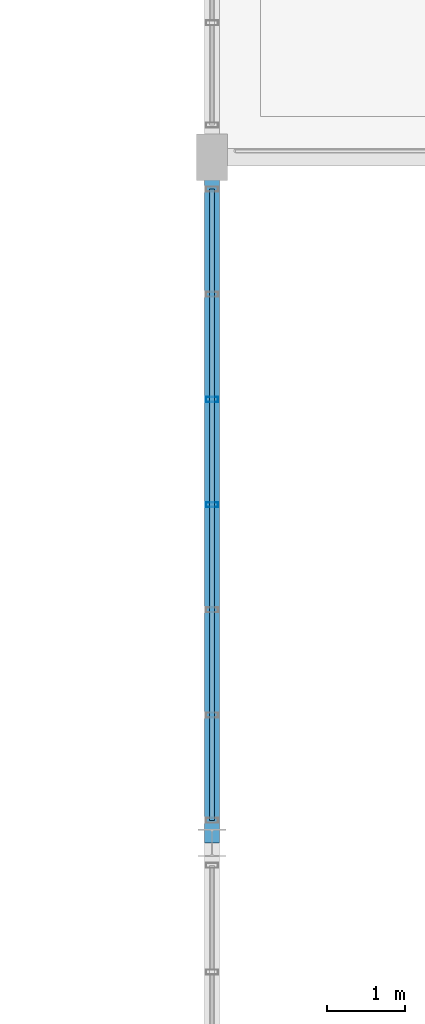
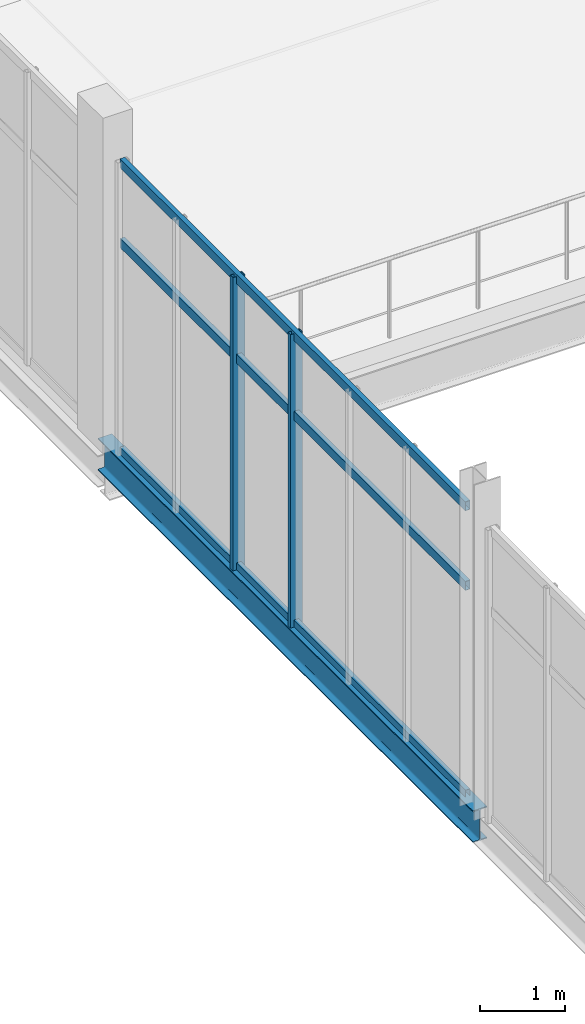
# One storey, part 43 of 157: 5 members, 1 beam, 1 element without a shape of its own.
"""IFC4 building model written with IfcOpenShell, lengths in metres."""

from ifc_helpers import new_model, si_unit, direction, frame, origin, origin_2d, place, context, subcontext, project, spatial, hollow_rectangle, i_section, extrude, material, layer, layer_set, material_profile, profile_set, type_object, element, aggregate, save


model = new_model("IFC4")

# Units and contexts
model_context = context("Model", 3, precision=1e-05, world=origin(), true_north=direction((0.0, 1.0)))
body_context = subcontext(model_context, "Body", "Model", "MODEL_VIEW")
ifc_project = project(units=[si_unit("LENGTHUNIT", "METRE"), si_unit("AREAUNIT", "SQUARE_METRE"), si_unit("VOLUMEUNIT", "CUBIC_METRE"), si_unit("PLANEANGLEUNIT", "RADIAN"), si_unit("MASSUNIT", "GRAM", prefix="KILO")], contexts=[model_context])

# Site, building, storey
site_placement = place(None, origin())
site = spatial("IfcSite", under=ifc_project, at=site_placement, CompositionType="ELEMENT")
building_placement = place(site_placement, origin())
building = spatial("IfcBuilding", under=site, at=building_placement, Name="Chalmorin Arch Market", CompositionType="ELEMENT")
storey_placement = place(building_placement, frame((0.0, 0.0, 4.800048828125)))
storey = spatial("IfcBuildingStorey", under=building, at=storey_placement, Name="L01", CompositionType="ELEMENT", Elevation=4.800048828125)

# Curtain wall, members
ifc_material_1 = material(Name="Aluminium 6063-T6", Category="aluminium")
ifc_layer = layer(ifc_material_1, 0.159912109375)
ifc_layer_set = layer_set([ifc_layer], Name="Aluminium 6063-T6")
curtain_wall_type = type_object("IfcCurtainWallType", Name="GableTympanumCurtainWall-CW4-8100x4200", PredefinedType="NOTDEFINED", material=ifc_layer_set)
curtain_wall_placement = place(storey_placement, origin())
curtain_wall = element("IfcCurtainWall", 1, at=curtain_wall_placement, inside=storey, type_object=curtain_wall_type, Name="CW-04-032", PredefinedType="NOTDEFINED")
ifc_material_profile_1 = material_profile(ifc_material_1, hollow_rectangle(XDim=0.06494140625, YDim=0.159912109375, WallThickness=0.00390625, at=origin_2d()), Name="ALU65X160X4")
ifc_profile_set_1 = profile_set([ifc_material_profile_1], Name="Aluminium 6063-T6")
member_type_1 = type_object("IfcMemberType", Name="CurtainWallMullion-65x160", PredefinedType="MULLION", material=ifc_profile_set_1)
member_1_placement = place(storey_placement, frame((48.0, 45.5390625, 0.0), z_axis=(0.0, 0.0, 1.0), x_axis=(0.0, 1.0, 0.0)))
member_1 = element("IfcMember", 2, at=member_1_placement, type_object=member_type_1, Name="ML-032-04", PredefinedType="MULLION", context=body_context, shape_type="SweptSolid", body=[
    extrude(hollow_rectangle(XDim=0.06494140625, YDim=0.159912109375, WallThickness=0.00390625, at=origin_2d()), origin(), (0.0, 0.0, 1.0), 4.199951171875),
])
member_2_placement = place(storey_placement, frame((48.0, 46.889404296875, 0.0), z_axis=(0.0, 0.0, 1.0), x_axis=(0.0, 1.0, 0.0)))
member_2 = element("IfcMember", 3, at=member_2_placement, type_object=member_type_1, Name="ML-032-05", PredefinedType="MULLION", context=body_context, shape_type="SweptSolid", body=[
    extrude(hollow_rectangle(XDim=0.06494140625, YDim=0.159912109375, WallThickness=0.00390625, at=origin_2d()), origin(), (0.0, 0.0, 1.0), 4.199951171875),
])
ifc_material_profile_2 = material_profile(ifc_material_1, hollow_rectangle(XDim=0.06494140625, YDim=0.1298828125, WallThickness=0.00390625, at=origin_2d()), Name="ALU65X130X4")
ifc_profile_set_2 = profile_set([ifc_material_profile_2], Name="Aluminium 6063-T6")
member_type_2 = type_object("IfcMemberType", Name="CurtainWallTransom-65x130", PredefinedType="USERDEFINED", material=ifc_profile_set_2)
member_3_placement = place(storey_placement, frame((48.0, 41.488037109375, 0.034912109375), z_axis=(0.0, 1.0, 0.0), x_axis=(-1.0, 0.0, 0.0)))
member_3 = element("IfcMember", 4, at=member_3_placement, type_object=member_type_2, Name="TR-032-01", ObjectType="TRANSOM", PredefinedType="USERDEFINED", context=body_context, shape_type="SweptSolid", body=[
    extrude(hollow_rectangle(XDim=0.06494140625, YDim=0.1298828125, WallThickness=0.00390625, at=origin_2d()), origin(), (0.0, 0.0, 1.0), 8.10205078125),
])
member_4_placement = place(storey_placement, frame((48.0, 41.488037109375, 3.02392578125), z_axis=(0.0, 1.0, 0.0), x_axis=(-1.0, 0.0, 0.0)))
member_4 = element("IfcMember", 5, at=member_4_placement, type_object=member_type_2, Name="TR-032-02", ObjectType="TRANSOM", PredefinedType="USERDEFINED", context=body_context, shape_type="SweptSolid", body=[
    extrude(hollow_rectangle(XDim=0.06494140625, YDim=0.1298828125, WallThickness=0.00390625, at=origin_2d()), origin(), (0.0, 0.0, 1.0), 8.10205078125),
])
member_5_placement = place(storey_placement, frame((48.0, 41.488037109375, 4.1650390625), z_axis=(0.0, 1.0, 0.0), x_axis=(-1.0, 0.0, 0.0)))
member_5 = element("IfcMember", 6, at=member_5_placement, type_object=member_type_2, Name="TR-032-03", ObjectType="TRANSOM", PredefinedType="USERDEFINED", context=body_context, shape_type="SweptSolid", body=[
    extrude(hollow_rectangle(XDim=0.06494140625, YDim=0.1298828125, WallThickness=0.00390625, at=origin_2d()), origin(), (0.0, 0.0, 1.0), 8.10205078125),
])
aggregate(curtain_wall, [member_1, member_2, member_3, member_4, member_5])

# Beam
ifc_material_2 = material(Name="Steel A992 Grade 50", Category="steel")
ifc_material_profile_3 = material_profile(ifc_material_2, i_section(OverallWidth=0.19091796875, OverallDepth=0.45703125, WebThickness=0.009033203125, FlangeThickness=0.014404296875, FilletRadius=0.02001953125, at=origin_2d()), Name="W18X50")
ifc_profile_set_3 = profile_set([ifc_material_profile_3], Name="Steel A992 Grade 50")
beam_type = type_object("IfcBeamType", Name="PerimeterSpandrelBeam-W18X50", PredefinedType="SPANDREL", material=ifc_profile_set_3)
beam_placement = place(storey_placement, frame((48.0, 41.199951171875, -0.22802734375), z_axis=(0.0, 1.0, 0.0), x_axis=(-1.0, 0.0, 0.0)))
element("IfcBeam", 7, at=beam_placement, inside=storey, type_object=beam_type, Name="SP-W18-0679", PredefinedType="SPANDREL", context=body_context, shape_type="SweptSolid", body=[
    extrude(i_section(OverallWidth=0.19091796875, OverallDepth=0.45703125, WebThickness=0.009033203125, FlangeThickness=0.014404296875, FilletRadius=0.02001953125, at=origin_2d()), origin(), (0.0, 0.0, 1.0), 8.800048828125),
])

save(model, "model.ifc")
